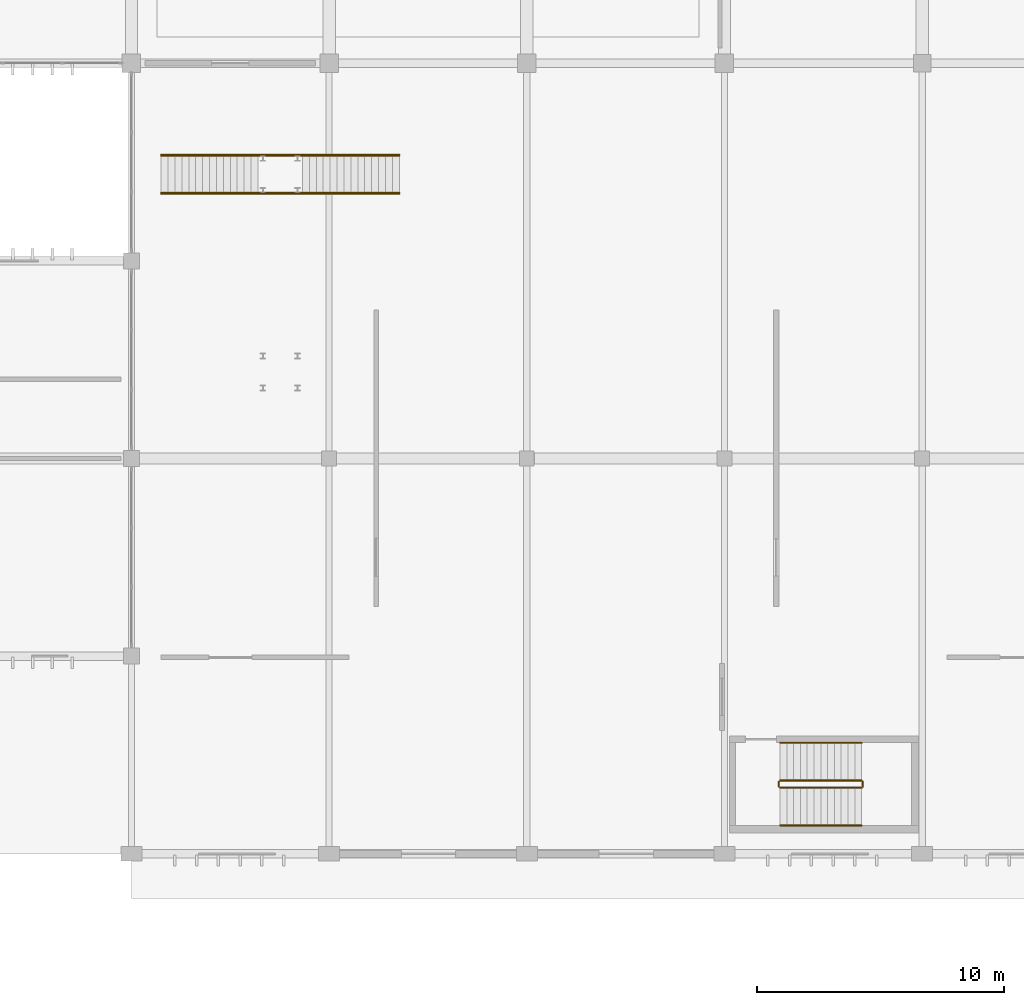
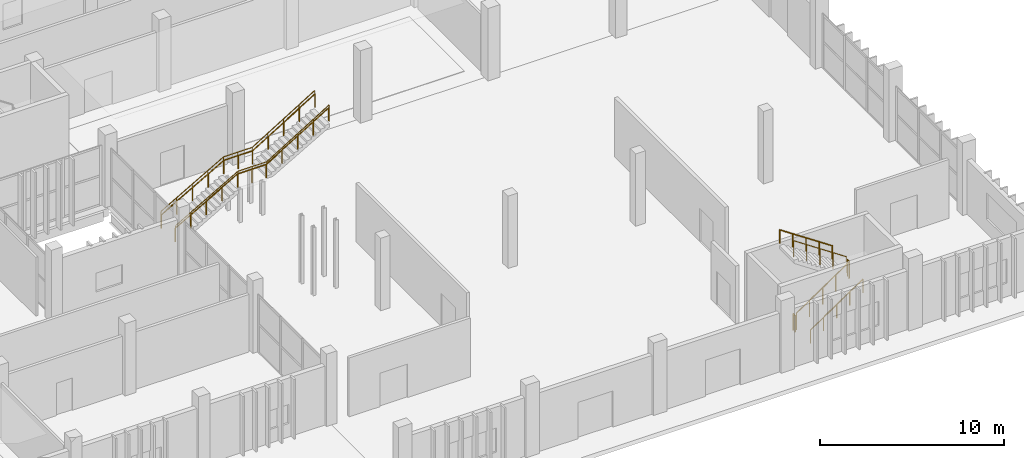
# One storey, part 112 of 117: 10 railings.
"""IFC4 building model written with IfcOpenShell, lengths in metres."""

import ifcopenshell
import ifcopenshell.guid

model = None  # the IFC model being written
_history = None  # IfcOwnerHistory: only IFC2X3 demands one
_inside = {}  # id of a spatial element -> (the spatial element, [elements in it])
_under = {}  # id of a project, library or spatial element -> (it, [spatial elements below it])
_declared = {}  # id of a project -> (the project, [libraries it declares])
_typed = {}  # id of a type object -> (the type object, [elements of that type])
_made_of = {}  # id of a material, layer set ... -> (it, [elements and type objects made of it])


def new_model(schema):
    """Start an empty IFC model of exactly this schema.

    Asked for "IFC4X3", IfcOpenShell would pick the latest addendum, in which some entities
    have other attributes; the version numbers below select the first issue.
    IFC2X3 requires an IfcOwnerHistory on every rooted entity: one is made here for all.
    """
    global model, _history
    if schema == "IFC4X3":
        model = ifcopenshell.file(schema_version=(4, 3, 0, 0))
    else:
        model = ifcopenshell.file(schema=schema)
    _inside.clear()
    _under.clear()
    _declared.clear()
    _typed.clear()
    _made_of.clear()
    _history = None
    if model.schema == "IFC2X3":
        org = make("IfcOrganization", Name="unknown")
        user = make(
            "IfcPersonAndOrganization",
            ThePerson=make("IfcPerson", FamilyName="unknown"),
            TheOrganization=org,
        )
        app = make(
            "IfcApplication",
            ApplicationDeveloper=org,
            Version="unknown",
            ApplicationFullName="unknown",
            ApplicationIdentifier="unknown",
        )
        _history = make(
            "IfcOwnerHistory",
            OwningUser=user,
            OwningApplication=app,
            ChangeAction="ADDED",
            CreationDate=0,
        )
    return model


def make(cls, **values):
    """One entity of the class cls with the attributes given. An attribute that is None is left unset."""
    return model.create_entity(
        cls, **{name: value for name, value in values.items() if value is not None}
    )


def rooted(cls, **values):
    """An entity with a GlobalId (a new one), such as an element, a storey or a relation."""
    return make(cls, GlobalId=ifcopenshell.guid.new(), OwnerHistory=_history, **values)


def si_unit(unit_type, name, prefix=None):
    """IfcSIUnit, for example si_unit("LENGTHUNIT", "METRE", prefix="MILLI")."""
    return make("IfcSIUnit", UnitType=unit_type, Prefix=prefix, Name=name)


def assignment(units):
    """IfcUnitAssignment: the units of a project."""
    return None if units is None else make("IfcUnitAssignment", Units=units)


def point(xyz):
    """IfcCartesianPoint."""
    return None if xyz is None else make("IfcCartesianPoint", Coordinates=xyz)


def direction(xyz):
    """IfcDirection."""
    return None if xyz is None else make("IfcDirection", DirectionRatios=xyz)


def frame(location, z_axis=None, x_axis=None):
    """IfcAxis2Placement3D, a coordinate frame: its origin and axes. An axis left out is left unset."""
    return make(
        "IfcAxis2Placement3D",
        Location=point(location),
        Axis=direction(z_axis),
        RefDirection=direction(x_axis),
    )


def frame_2d(location, x_axis=None):
    """IfcAxis2Placement2D, a coordinate frame in the plane: its origin and x axis."""
    return make(
        "IfcAxis2Placement2D", Location=point(location), RefDirection=direction(x_axis)
    )


def origin():
    """The frame at (0, 0, 0) with its axes left unset."""
    return frame((0.0, 0.0, 0.0))


def origin_2d():
    """The frame at (0, 0) in the plane with its x axis left unset."""
    return frame_2d((0.0, 0.0))


def place(relative_to, where):
    """IfcLocalPlacement: puts the frame where relative to a parent placement (None: the world)."""
    return make(
        "IfcLocalPlacement", PlacementRelTo=relative_to, RelativePlacement=where
    )


def context(
    kind, dimensions, precision=None, world=None, true_north=None, identifier=None
):
    """IfcGeometricRepresentationContext, for example the 3D "Model" context."""
    return make(
        "IfcGeometricRepresentationContext",
        ContextIdentifier=identifier,
        ContextType=kind,
        CoordinateSpaceDimension=dimensions,
        Precision=precision,
        WorldCoordinateSystem=world,
        TrueNorth=true_north,
    )


def subcontext(parent, identifier, kind, view, scale=None):
    """IfcGeometricRepresentationSubContext, for example "Body" below "Model"."""
    return make(
        "IfcGeometricRepresentationSubContext",
        ContextIdentifier=identifier,
        ContextType=kind,
        ParentContext=parent,
        TargetScale=scale,
        TargetView=view,
    )


def project(units=None, contexts=None):
    """IfcProject with its units and contexts."""
    return rooted(
        "IfcProject",
        Name="project",
        RepresentationContexts=contexts,
        UnitsInContext=assignment(units),
    )


def spatial(cls, under=None, at=None, **own):
    """A site, building, storey or space (cls), placed at a placement, below another one or the project."""
    s = rooted(cls, ObjectPlacement=at, **own)
    if under is not None:
        _under.setdefault(under.id(), (under, []))[1].append(s)
    return s


def profile(cls, at=None, kind="AREA", **sizes):
    """A parametric profile (cls). Its sizes go by their IFC names, for example OverallWidth=200.0."""
    return make(cls, ProfileType=kind, Position=at, **sizes)


def circle(**sizes):
    """IfcCircleProfileDef."""
    return profile("IfcCircleProfileDef", **sizes)


def extrude(swept, where, along, depth):
    """IfcExtrudedAreaSolid: the profile swept, set in the frame where, extruded along a direction by depth."""
    return make(
        "IfcExtrudedAreaSolid",
        SweptArea=swept,
        Position=where,
        ExtrudedDirection=direction(along),
        Depth=depth,
    )


def shape(context_of_items, identifier, shape_type, items):
    """IfcShapeRepresentation: the items that make up one representation, for example the "Body"."""
    return make(
        "IfcShapeRepresentation",
        ContextOfItems=context_of_items,
        RepresentationIdentifier=identifier,
        RepresentationType=shape_type,
        Items=items,
    )


def material(Name=None, Category=None):
    """IfcMaterial."""
    return make("IfcMaterial", Name=Name, Category=Category)


def made_of(thing, what):
    """Note that an element or type object is made of a material, layer set ...; save() writes the relation."""
    if what is not None:
        _made_of.setdefault(what.id(), (what, []))[1].append(thing)
    return thing


def type_object(cls, material=None, **own):
    """A type object (cls), such as IfcWallType, which elements share."""
    return made_of(rooted(cls, **own), material)


def element(
    cls,
    number,
    at=None,
    inside=None,
    cuts=None,
    type_object=None,
    material=None,
    context=None,
    identifier="Body",
    shape_type=None,
    held_by="IfcProductDefinitionShape",
    body=None,
    shapes=None,
    **own,
):
    """One element of the class cls, such as IfcWall. Its Tag is "e" and its number.

    at: its placement. inside: the storey or other place that contains it. cuts: it is an
    opening in that element (IfcRelVoidsElement). A single representation is given by context,
    identifier, shape_type and body (its items); several are given by shapes. held_by: the class
    of the entity that holds the representations. save() writes the other relations.
    """
    e = rooted(cls, Tag="e%d" % number, ObjectPlacement=at, **own)
    if body is not None:
        shapes = [shape(context, identifier, shape_type, body)]
    if shapes is not None:
        e.Representation = make(held_by, Representations=shapes)
    if inside is not None:
        _inside.setdefault(inside.id(), (inside, []))[1].append(e)
    if cuts is not None:
        rooted(
            "IfcRelVoidsElement", RelatingBuildingElement=cuts, RelatedOpeningElement=e
        )
    if type_object is not None:
        _typed.setdefault(type_object.id(), (type_object, []))[1].append(e)
    return made_of(e, material)


def aggregate(whole, parts):
    """IfcRelAggregates: a whole, such as a stair, and the parts it consists of."""
    return rooted("IfcRelAggregates", RelatingObject=whole, RelatedObjects=parts)


def save(model, path):
    """Write the relations noted so far, then the file.

    IfcRelAggregates (storeys below a building ...), IfcRelContainedInSpatialStructure (elements
    in a storey), IfcRelDefinesByType, IfcRelAssociatesMaterial and IfcRelDeclares: one each for
    every whole, place, type object, material and project.
    """
    for whole, parts in _under.values():
        aggregate(whole, parts)
    for where, things in _inside.values():
        rooted(
            "IfcRelContainedInSpatialStructure",
            RelatedElements=things,
            RelatingStructure=where,
        )
    for kind, things in _typed.values():
        rooted("IfcRelDefinesByType", RelatedObjects=things, RelatingType=kind)
    for what, things in _made_of.values():
        rooted("IfcRelAssociatesMaterial", RelatedObjects=things, RelatingMaterial=what)
    for by, libraries in _declared.values():
        rooted("IfcRelDeclares", RelatingContext=by, RelatedDefinitions=libraries)
    model.write(path)


model = new_model("IFC4")

# Units and contexts
model_context = context("Model", 3, precision=1e-05, world=origin(), true_north=direction((0.0, 1.0)))
body_context = subcontext(model_context, "Body", "Model", "MODEL_VIEW")
ifc_project = project(units=[si_unit("LENGTHUNIT", "METRE"), si_unit("AREAUNIT", "SQUARE_METRE"), si_unit("VOLUMEUNIT", "CUBIC_METRE"), si_unit("PLANEANGLEUNIT", "RADIAN"), si_unit("MASSUNIT", "GRAM", prefix="KILO")], contexts=[model_context])

# Site, building, storey
site_placement = place(None, origin())
site = spatial("IfcSite", under=ifc_project, at=site_placement, CompositionType="ELEMENT")
building_placement = place(site_placement, origin())
building = spatial("IfcBuilding", under=site, at=building_placement, Name="Jelvoka-Kovrelna Polytechnic", CompositionType="ELEMENT")
storey_placement = place(building_placement, origin())
storey = spatial("IfcBuildingStorey", under=building, at=storey_placement, Name="L01", CompositionType="ELEMENT", Elevation=0.0)

# Railings
ifc_material_1 = material(Name="Powder-coated steel stair guard", Category="steel")
railing_type_1 = type_object("IfcRailingType", Name="Railing_Stair_Guard_1100", PredefinedType="GUARDRAIL", material=ifc_material_1)
railing_1_placement = place(storey_placement, frame((186.25, 2.669921875, 0.1845703125)))
element("IfcRailing", 1, at=railing_1_placement, inside=storey, type_object=railing_type_1, Name="L01 ST05 stair guard 1", PredefinedType="GUARDRAIL", context=body_context, shape_type="SweptSolid", body=[
    extrude(circle(Radius=0.02392578125, at=origin_2d()), frame((0.0, 0.0, 1.076171875), z_axis=(0.830269453126, 0.0, 0.557362211857), x_axis=(0.0, 1.0, 0.0)), (0.0, 0.0, 1.0), 3.974609375),
    extrude(circle(Radius=0.02099609375, at=origin_2d()), origin(), (0.0, 0.0, 1.0), 1.052001953125),
    extrude(circle(Radius=0.02099609375, at=origin_2d()), frame((0.824951171875, 0.0, 0.5537109375)), (0.0, 0.0, 1.0), 1.052001953125),
    extrude(circle(Radius=0.02099609375, at=origin_2d()), frame((1.64990234375, 0.0, 1.107666015625)), (0.0, 0.0, 1.0), 1.052001953125),
    extrude(circle(Radius=0.02099609375, at=origin_2d()), frame((2.47509765625, 0.0, 1.66162109375)), (0.0, 0.0, 1.0), 1.052001953125),
    extrude(circle(Radius=0.02099609375, at=origin_2d()), frame((3.300048828125, 0.0, 2.21533203125)), (0.0, 0.0, 1.0), 1.052001953125),
])
railing_2_placement = place(storey_placement, frame((189.60009765625, 2.719970703125, 2.39990234375)))
element("IfcRailing", 2, at=railing_2_placement, inside=storey, type_object=railing_type_1, Name="L01 ST05 stair guard 2", PredefinedType="GUARDRAIL", context=body_context, shape_type="SweptSolid", body=[
    extrude(circle(Radius=0.02392578125, at=origin_2d()), frame((0.0, 0.0, 1.076171875), z_axis=(0.0, 1.0, 0.0), x_axis=(-1.0, 0.0, 0.0)), (0.0, 0.0, 1.0), 0.199951171875),
    extrude(circle(Radius=0.02099609375, at=origin_2d()), origin(), (0.0, 0.0, 1.0), 1.052001953125),
    extrude(circle(Radius=0.02099609375, at=origin_2d()), frame((0.0, 0.199951171875, 0.0)), (0.0, 0.0, 1.0), 1.052001953125),
])
railing_3_placement = place(storey_placement, frame((189.550048828125, 2.969970703125, 2.584716796875)))
element("IfcRailing", 3, at=railing_3_placement, inside=storey, type_object=railing_type_1, Name="L01 ST05 stair guard 3", PredefinedType="GUARDRAIL", context=body_context, shape_type="SweptSolid", body=[
    extrude(circle(Radius=0.02392578125, at=origin_2d()), frame((0.0, 0.0, 1.076171875), z_axis=(-0.830269453126, 0.0, 0.557362211857), x_axis=(0.0, -1.0, 0.0)), (0.0, 0.0, 1.0), 3.974609375),
    extrude(circle(Radius=0.02099609375, at=origin_2d()), origin(), (0.0, 0.0, 1.0), 1.052001953125),
    extrude(circle(Radius=0.02099609375, at=origin_2d()), frame((-0.824951171875, 0.0, 0.5537109375)), (0.0, 0.0, 1.0), 1.052001953125),
    extrude(circle(Radius=0.02099609375, at=origin_2d()), frame((-1.64990234375, 0.0, 1.107666015625)), (0.0, 0.0, 1.0), 1.052001953125),
    extrude(circle(Radius=0.02099609375, at=origin_2d()), frame((-2.47509765625, 0.0, 1.66162109375)), (0.0, 0.0, 1.0), 1.052001953125),
    extrude(circle(Radius=0.02099609375, at=origin_2d()), frame((-3.300048828125, 0.0, 2.21533203125)), (0.0, 0.0, 1.0), 1.052001953125),
])
railing_4_placement = place(storey_placement, frame((186.199951171875, 2.719970703125, 0.0)))
element("IfcRailing", 4, at=railing_4_placement, inside=storey, type_object=railing_type_1, Name="L01 ST05 stair guard 4", PredefinedType="GUARDRAIL", context=body_context, shape_type="SweptSolid", body=[
    extrude(circle(Radius=0.02392578125, at=origin_2d()), frame((0.0, 0.0, 1.076171875), z_axis=(0.0, 1.0, 0.0), x_axis=(-1.0, 0.0, 0.0)), (0.0, 0.0, 1.0), 0.199951171875),
    extrude(circle(Radius=0.02099609375, at=origin_2d()), origin(), (0.0, 0.0, 1.0), 1.052001953125),
    extrude(circle(Radius=0.02099609375, at=origin_2d()), frame((0.0, 0.199951171875, 0.0)), (0.0, 0.0, 1.0), 1.052001953125),
])
railing_5_placement = place(storey_placement, frame((161.199951171875, 26.715087890625, 0.159912109375)))
element("IfcRailing", 5, at=railing_5_placement, inside=storey, type_object=railing_type_1, Name="L01 ST16 flight guard S", PredefinedType="GUARDRAIL", context=body_context, shape_type="SweptSolid", body=[
    extrude(circle(Radius=0.02392578125, at=origin_2d()), frame((0.0, 0.0, 1.076171875), z_axis=(0.86825312469, 0.0, 0.496121468458), x_axis=(0.0, 1.0, 0.0)), (0.0, 0.0, 1.0), 4.514892578125),
    extrude(circle(Radius=0.02392578125, at=origin_2d()), frame((3.920166015625, 0.0, 3.31591796875), z_axis=(1.0, 0.0, 0.0), x_axis=(0.0, 1.0, 0.0)), (0.0, 0.0, 1.0), 1.7998046875),
    extrude(circle(Radius=0.02392578125, at=origin_2d()), frame((5.719970703125, 0.0, 3.31591796875), z_axis=(0.852846959695, 0.0, 0.522160955394), x_axis=(0.0, 1.0, 0.0)), (0.0, 0.0, 1.0), 4.5966796875),
    extrude(circle(Radius=0.02099609375, at=origin_2d()), origin(), (0.0, 0.0, 1.0), 1.052001953125),
    extrude(circle(Radius=0.02099609375, at=origin_2d()), frame((0.97998046875, 0.0, 0.56005859375)), (0.0, 0.0, 1.0), 1.052001953125),
    extrude(circle(Radius=0.02099609375, at=origin_2d()), frame((1.9599609375, 0.0, 1.1201171875)), (0.0, 0.0, 1.0), 1.052001953125),
    extrude(circle(Radius=0.02099609375, at=origin_2d()), frame((2.940185546875, 0.0, 1.679931640625)), (0.0, 0.0, 1.0), 1.052001953125),
    extrude(circle(Radius=0.02099609375, at=origin_2d()), frame((3.920166015625, 0.0, 2.239990234375)), (0.0, 0.0, 1.0), 1.052001953125),
    extrude(circle(Radius=0.02099609375, at=origin_2d()), frame((4.820068359375, 0.0, 2.239990234375)), (0.0, 0.0, 1.0), 1.052001953125),
    extrude(circle(Radius=0.02099609375, at=origin_2d()), frame((5.719970703125, 0.0, 2.239990234375)), (0.0, 0.0, 1.0), 1.052001953125),
    extrude(circle(Radius=0.02099609375, at=origin_2d()), frame((6.699951171875, 0.0, 2.840087890625)), (0.0, 0.0, 1.0), 1.052001953125),
    extrude(circle(Radius=0.02099609375, at=origin_2d()), frame((7.68017578125, 0.0, 3.43994140625)), (0.0, 0.0, 1.0), 1.052001953125),
    extrude(circle(Radius=0.02099609375, at=origin_2d()), frame((8.66015625, 0.0, 4.0400390625)), (0.0, 0.0, 1.0), 1.052001953125),
    extrude(circle(Radius=0.02099609375, at=origin_2d()), frame((9.64013671875, 0.0, 4.64013671875)), (0.0, 0.0, 1.0), 1.052001953125),
])
railing_6_placement = place(storey_placement, frame((161.199951171875, 28.284912109375, 0.159912109375)))
element("IfcRailing", 6, at=railing_6_placement, inside=storey, type_object=railing_type_1, Name="L01 ST16 flight guard N", PredefinedType="GUARDRAIL", context=body_context, shape_type="SweptSolid", body=[
    extrude(circle(Radius=0.02392578125, at=origin_2d()), frame((0.0, 0.0, 1.076171875), z_axis=(0.86825312469, 0.0, 0.496121468458), x_axis=(0.0, 1.0, 0.0)), (0.0, 0.0, 1.0), 4.514892578125),
    extrude(circle(Radius=0.02392578125, at=origin_2d()), frame((3.920166015625, 0.0, 3.31591796875), z_axis=(1.0, 0.0, 0.0), x_axis=(0.0, 1.0, 0.0)), (0.0, 0.0, 1.0), 1.7998046875),
    extrude(circle(Radius=0.02392578125, at=origin_2d()), frame((5.719970703125, 0.0, 3.31591796875), z_axis=(0.852846959695, 0.0, 0.522160955394), x_axis=(0.0, 1.0, 0.0)), (0.0, 0.0, 1.0), 4.5966796875),
    extrude(circle(Radius=0.02099609375, at=origin_2d()), origin(), (0.0, 0.0, 1.0), 1.052001953125),
    extrude(circle(Radius=0.02099609375, at=origin_2d()), frame((0.97998046875, 0.0, 0.56005859375)), (0.0, 0.0, 1.0), 1.052001953125),
    extrude(circle(Radius=0.02099609375, at=origin_2d()), frame((1.9599609375, 0.0, 1.1201171875)), (0.0, 0.0, 1.0), 1.052001953125),
    extrude(circle(Radius=0.02099609375, at=origin_2d()), frame((2.940185546875, 0.0, 1.679931640625)), (0.0, 0.0, 1.0), 1.052001953125),
    extrude(circle(Radius=0.02099609375, at=origin_2d()), frame((3.920166015625, 0.0, 2.239990234375)), (0.0, 0.0, 1.0), 1.052001953125),
    extrude(circle(Radius=0.02099609375, at=origin_2d()), frame((4.820068359375, 0.0, 2.239990234375)), (0.0, 0.0, 1.0), 1.052001953125),
    extrude(circle(Radius=0.02099609375, at=origin_2d()), frame((5.719970703125, 0.0, 2.239990234375)), (0.0, 0.0, 1.0), 1.052001953125),
    extrude(circle(Radius=0.02099609375, at=origin_2d()), frame((6.699951171875, 0.0, 2.840087890625)), (0.0, 0.0, 1.0), 1.052001953125),
    extrude(circle(Radius=0.02099609375, at=origin_2d()), frame((7.68017578125, 0.0, 3.43994140625)), (0.0, 0.0, 1.0), 1.052001953125),
    extrude(circle(Radius=0.02099609375, at=origin_2d()), frame((8.66015625, 0.0, 4.0400390625)), (0.0, 0.0, 1.0), 1.052001953125),
    extrude(circle(Radius=0.02099609375, at=origin_2d()), frame((9.64013671875, 0.0, 4.64013671875)), (0.0, 0.0, 1.0), 1.052001953125),
])
ifc_material_2 = material(Name="Brushed stainless steel handrail", Category="steel")
railing_type_2 = type_object("IfcRailingType", Name="Railing_Stair_Handrail_900", PredefinedType="HANDRAIL", material=ifc_material_2)
railing_7_placement = place(storey_placement, frame((186.25, 1.14990234375, 0.1845703125)))
element("IfcRailing", 7, at=railing_7_placement, inside=storey, type_object=railing_type_2, Name="L01 ST05 stair handrail 1", PredefinedType="HANDRAIL", context=body_context, shape_type="SweptSolid", body=[
    extrude(circle(Radius=0.02392578125, at=origin_2d()), frame((0.0, 0.0, 0.8759765625), z_axis=(0.830269453126, 0.0, 0.557362211857), x_axis=(0.0, 1.0, 0.0)), (0.0, 0.0, 1.0), 3.974609375),
    extrude(circle(Radius=0.02099609375, at=origin_2d()), origin(), (0.0, 0.0, 1.0), 0.851806640625),
    extrude(circle(Radius=0.02099609375, at=origin_2d()), frame((0.824951171875, 0.0, 0.5537109375)), (0.0, 0.0, 1.0), 0.851806640625),
    extrude(circle(Radius=0.02099609375, at=origin_2d()), frame((1.64990234375, 0.0, 1.107666015625)), (0.0, 0.0, 1.0), 0.851806640625),
    extrude(circle(Radius=0.02099609375, at=origin_2d()), frame((2.47509765625, 0.0, 1.66162109375)), (0.0, 0.0, 1.0), 0.851806640625),
    extrude(circle(Radius=0.02099609375, at=origin_2d()), frame((3.300048828125, 0.0, 2.21533203125)), (0.0, 0.0, 1.0), 0.851806640625),
])
railing_8_placement = place(storey_placement, frame((189.550048828125, 4.489990234375, 2.584716796875)))
element("IfcRailing", 8, at=railing_8_placement, inside=storey, type_object=railing_type_2, Name="L01 ST05 stair handrail 2", PredefinedType="HANDRAIL", context=body_context, shape_type="SweptSolid", body=[
    extrude(circle(Radius=0.02392578125, at=origin_2d()), frame((0.0, 0.0, 0.8759765625), z_axis=(-0.830269453126, 0.0, 0.557362211857), x_axis=(0.0, -1.0, 0.0)), (0.0, 0.0, 1.0), 3.974609375),
    extrude(circle(Radius=0.02099609375, at=origin_2d()), origin(), (0.0, 0.0, 1.0), 0.851806640625),
    extrude(circle(Radius=0.02099609375, at=origin_2d()), frame((-0.824951171875, 0.0, 0.5537109375)), (0.0, 0.0, 1.0), 0.851806640625),
    extrude(circle(Radius=0.02099609375, at=origin_2d()), frame((-1.64990234375, 0.0, 1.107666015625)), (0.0, 0.0, 1.0), 0.851806640625),
    extrude(circle(Radius=0.02099609375, at=origin_2d()), frame((-2.47509765625, 0.0, 1.66162109375)), (0.0, 0.0, 1.0), 0.851806640625),
    extrude(circle(Radius=0.02099609375, at=origin_2d()), frame((-3.300048828125, 0.0, 2.21533203125)), (0.0, 0.0, 1.0), 0.851806640625),
])
railing_9_placement = place(storey_placement, frame((161.199951171875, 26.7548828125, 0.159912109375)))
element("IfcRailing", 9, at=railing_9_placement, inside=storey, type_object=railing_type_2, Name="L01 ST16 handrail S", PredefinedType="HANDRAIL", context=body_context, shape_type="SweptSolid", body=[
    extrude(circle(Radius=0.02392578125, at=origin_2d()), frame((0.0, 0.0, 0.8759765625), z_axis=(0.86825312469, 0.0, 0.496121468458), x_axis=(0.0, 1.0, 0.0)), (0.0, 0.0, 1.0), 4.514892578125),
    extrude(circle(Radius=0.02392578125, at=origin_2d()), frame((3.920166015625, 0.0, 3.11572265625), z_axis=(1.0, 0.0, 0.0), x_axis=(0.0, 1.0, 0.0)), (0.0, 0.0, 1.0), 1.7998046875),
    extrude(circle(Radius=0.02392578125, at=origin_2d()), frame((5.719970703125, 0.0, 3.11572265625), z_axis=(0.852846959695, 0.0, 0.522160955394), x_axis=(0.0, 1.0, 0.0)), (0.0, 0.0, 1.0), 4.5966796875),
    extrude(circle(Radius=0.02099609375, at=origin_2d()), origin(), (0.0, 0.0, 1.0), 0.851806640625),
    extrude(circle(Radius=0.02099609375, at=origin_2d()), frame((0.97998046875, 0.0, 0.56005859375)), (0.0, 0.0, 1.0), 0.851806640625),
    extrude(circle(Radius=0.02099609375, at=origin_2d()), frame((1.9599609375, 0.0, 1.1201171875)), (0.0, 0.0, 1.0), 0.851806640625),
    extrude(circle(Radius=0.02099609375, at=origin_2d()), frame((2.940185546875, 0.0, 1.679931640625)), (0.0, 0.0, 1.0), 0.851806640625),
    extrude(circle(Radius=0.02099609375, at=origin_2d()), frame((3.920166015625, 0.0, 2.239990234375)), (0.0, 0.0, 1.0), 0.851806640625),
    extrude(circle(Radius=0.02099609375, at=origin_2d()), frame((4.820068359375, 0.0, 2.239990234375)), (0.0, 0.0, 1.0), 0.851806640625),
    extrude(circle(Radius=0.02099609375, at=origin_2d()), frame((5.719970703125, 0.0, 2.239990234375)), (0.0, 0.0, 1.0), 0.851806640625),
    extrude(circle(Radius=0.02099609375, at=origin_2d()), frame((6.699951171875, 0.0, 2.840087890625)), (0.0, 0.0, 1.0), 0.851806640625),
    extrude(circle(Radius=0.02099609375, at=origin_2d()), frame((7.68017578125, 0.0, 3.43994140625)), (0.0, 0.0, 1.0), 0.851806640625),
    extrude(circle(Radius=0.02099609375, at=origin_2d()), frame((8.66015625, 0.0, 4.0400390625)), (0.0, 0.0, 1.0), 0.851806640625),
    extrude(circle(Radius=0.02099609375, at=origin_2d()), frame((9.64013671875, 0.0, 4.64013671875)), (0.0, 0.0, 1.0), 0.851806640625),
])
railing_10_placement = place(storey_placement, frame((161.199951171875, 28.2451171875, 0.159912109375)))
element("IfcRailing", 10, at=railing_10_placement, inside=storey, type_object=railing_type_2, Name="L01 ST16 handrail N", PredefinedType="HANDRAIL", context=body_context, shape_type="SweptSolid", body=[
    extrude(circle(Radius=0.02392578125, at=origin_2d()), frame((0.0, 0.0, 0.8759765625), z_axis=(0.86825312469, 0.0, 0.496121468458), x_axis=(0.0, 1.0, 0.0)), (0.0, 0.0, 1.0), 4.514892578125),
    extrude(circle(Radius=0.02392578125, at=origin_2d()), frame((3.920166015625, 0.0, 3.11572265625), z_axis=(1.0, 0.0, 0.0), x_axis=(0.0, 1.0, 0.0)), (0.0, 0.0, 1.0), 1.7998046875),
    extrude(circle(Radius=0.02392578125, at=origin_2d()), frame((5.719970703125, 0.0, 3.11572265625), z_axis=(0.852846959695, 0.0, 0.522160955394), x_axis=(0.0, 1.0, 0.0)), (0.0, 0.0, 1.0), 4.5966796875),
    extrude(circle(Radius=0.02099609375, at=origin_2d()), origin(), (0.0, 0.0, 1.0), 0.851806640625),
    extrude(circle(Radius=0.02099609375, at=origin_2d()), frame((0.97998046875, 0.0, 0.56005859375)), (0.0, 0.0, 1.0), 0.851806640625),
    extrude(circle(Radius=0.02099609375, at=origin_2d()), frame((1.9599609375, 0.0, 1.1201171875)), (0.0, 0.0, 1.0), 0.851806640625),
    extrude(circle(Radius=0.02099609375, at=origin_2d()), frame((2.940185546875, 0.0, 1.679931640625)), (0.0, 0.0, 1.0), 0.851806640625),
    extrude(circle(Radius=0.02099609375, at=origin_2d()), frame((3.920166015625, 0.0, 2.239990234375)), (0.0, 0.0, 1.0), 0.851806640625),
    extrude(circle(Radius=0.02099609375, at=origin_2d()), frame((4.820068359375, 0.0, 2.239990234375)), (0.0, 0.0, 1.0), 0.851806640625),
    extrude(circle(Radius=0.02099609375, at=origin_2d()), frame((5.719970703125, 0.0, 2.239990234375)), (0.0, 0.0, 1.0), 0.851806640625),
    extrude(circle(Radius=0.02099609375, at=origin_2d()), frame((6.699951171875, 0.0, 2.840087890625)), (0.0, 0.0, 1.0), 0.851806640625),
    extrude(circle(Radius=0.02099609375, at=origin_2d()), frame((7.68017578125, 0.0, 3.43994140625)), (0.0, 0.0, 1.0), 0.851806640625),
    extrude(circle(Radius=0.02099609375, at=origin_2d()), frame((8.66015625, 0.0, 4.0400390625)), (0.0, 0.0, 1.0), 0.851806640625),
    extrude(circle(Radius=0.02099609375, at=origin_2d()), frame((9.64013671875, 0.0, 4.64013671875)), (0.0, 0.0, 1.0), 0.851806640625),
])

save(model, "model.ifc")
